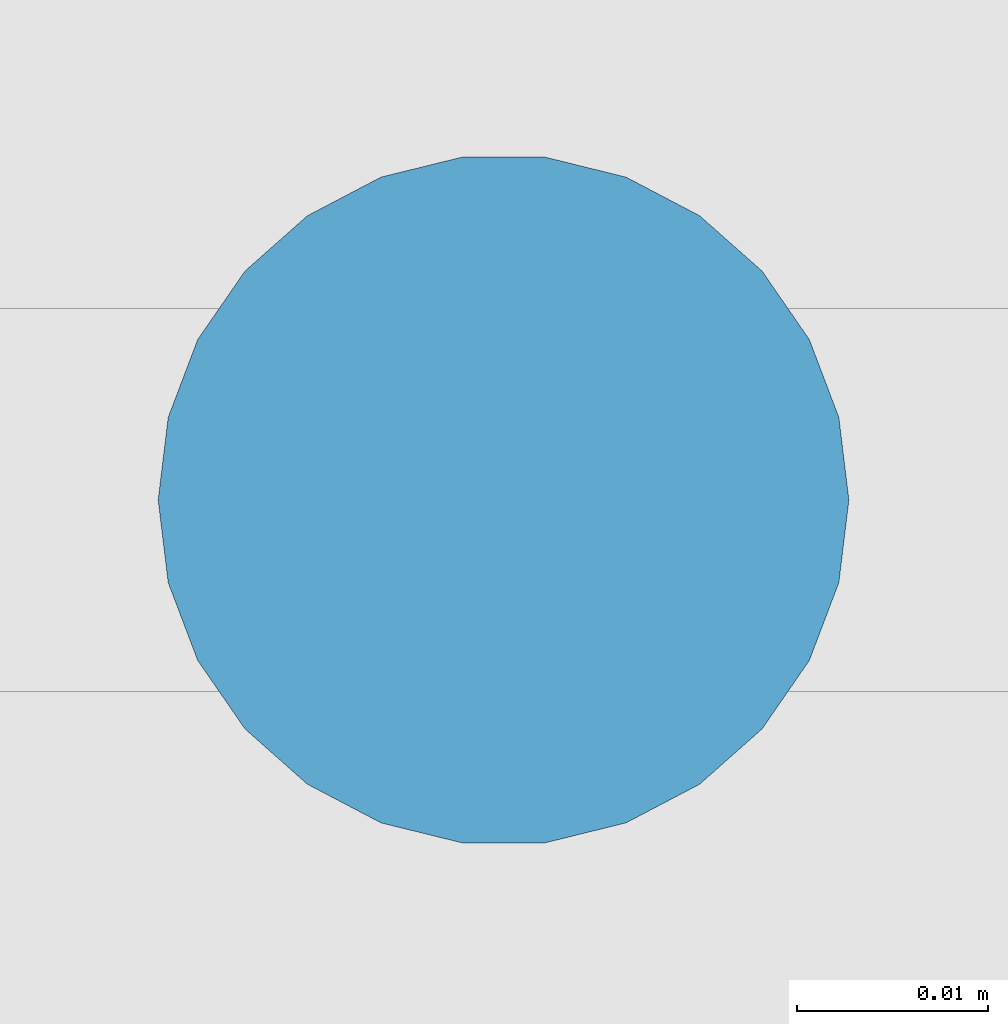
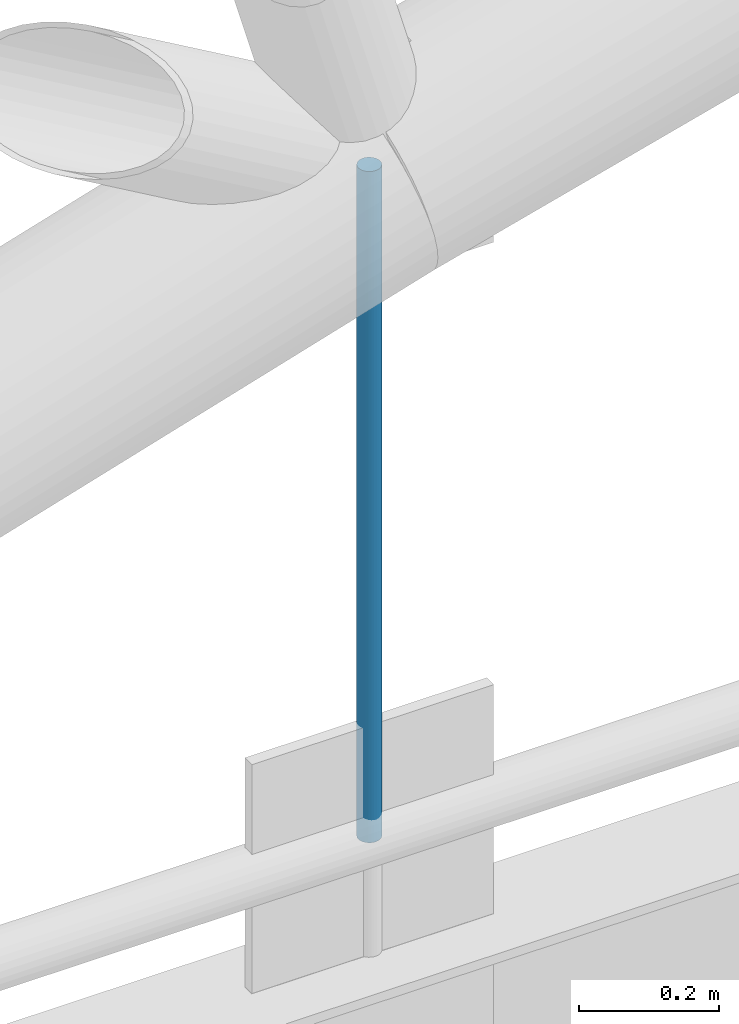
# One storey, part 167 of 321: 1 member.
"""IFC4 building model written with IfcOpenShell, lengths in metres."""

from ifc_helpers import new_model, si_unit, direction, frame, origin, origin_2d, place, context, subcontext, project, spatial, circle, extrude, material, material_profile, profile_set, type_object, element, save


model = new_model("IFC4")

# Units and contexts
model_context = context("Model", 3, precision=1e-05, world=origin(), true_north=direction((0.0, 1.0)))
body_context = subcontext(model_context, "Body", "Model", "MODEL_VIEW")
ifc_project = project(units=[si_unit("LENGTHUNIT", "METRE"), si_unit("AREAUNIT", "SQUARE_METRE"), si_unit("VOLUMEUNIT", "CUBIC_METRE"), si_unit("PLANEANGLEUNIT", "RADIAN"), si_unit("MASSUNIT", "GRAM", prefix="KILO")], contexts=[model_context])

# Site, building, storey
site_placement = place(None, origin())
site = spatial("IfcSite", under=ifc_project, at=site_placement, CompositionType="ELEMENT")
building_placement = place(site_placement, origin())
building = spatial("IfcBuilding", under=site, at=building_placement, Name="Ravi Spectrum Wholesale Market", CompositionType="ELEMENT")
storey_placement = place(building_placement, frame((0.0, 0.0, 10.800048828125)))
storey = spatial("IfcBuildingStorey", under=building, at=storey_placement, Name="L02", CompositionType="ELEMENT", Elevation=10.800048828125)

# Member
ifc_material = material(Name="Steel S355", Category="steel")
ifc_material_profile = material_profile(ifc_material, circle(Radius=0.01806640625, at=origin_2d()))
ifc_profile_set = profile_set([ifc_material_profile], Name="Steel S355")
member_type = type_object("IfcMemberType", Name="ROD 36 hanger", PredefinedType="STRUT", material=ifc_profile_set)
member_placement = place(storey_placement, frame((43.88427734375, 198.0, 0.0), z_axis=(0.0, 0.0, 1.0), x_axis=(1.0, 0.0, 0.0)))
element("IfcMember", 1, at=member_placement, inside=storey, type_object=member_type, Name="H1-MB-L02-1229", PredefinedType="STRUT", context=body_context, shape_type="SweptSolid", body=[
    extrude(circle(Radius=0.01806640625, at=origin_2d()), origin(), (0.0, 0.0, 1.0), 1.173095703125),
])

save(model, "model.ifc")
